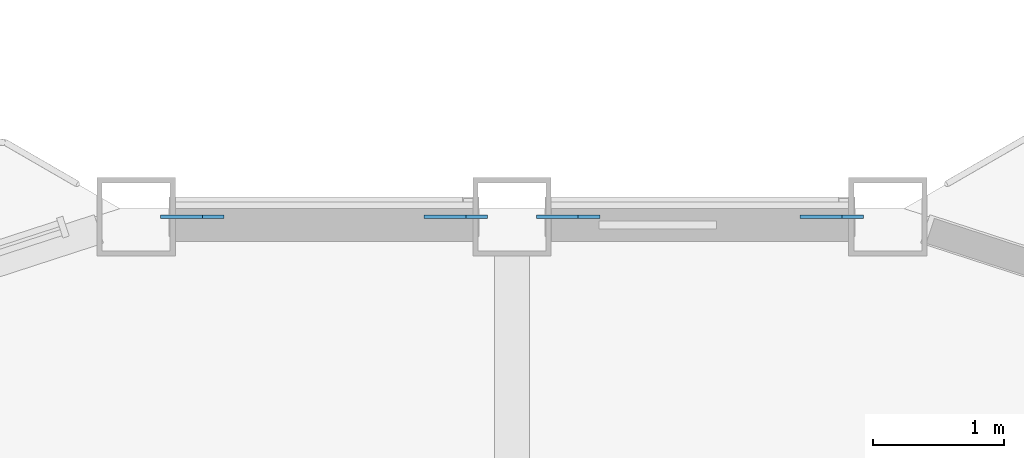
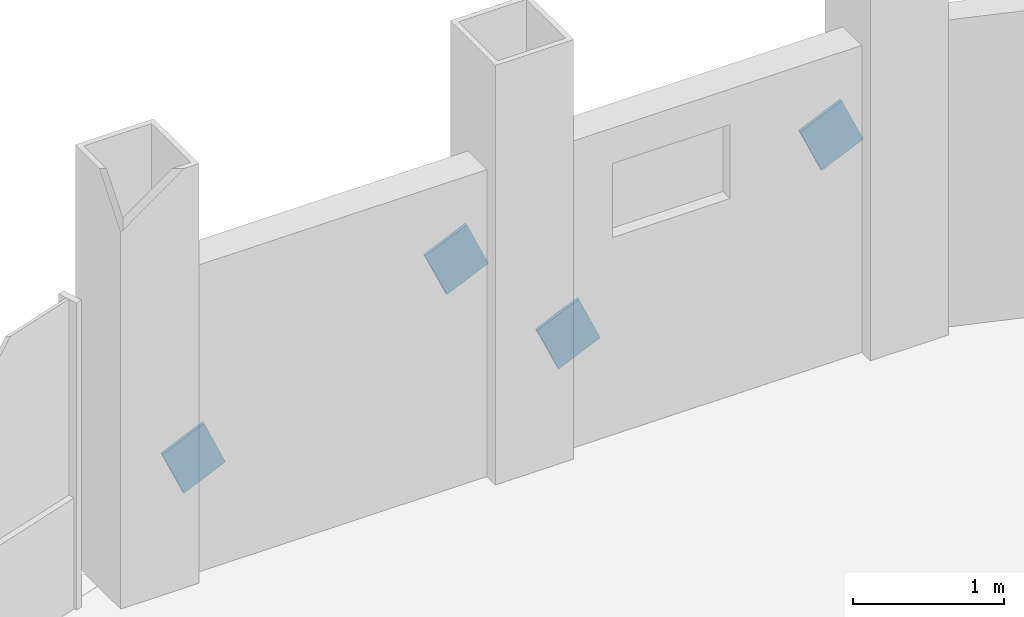
# One storey, part 21 of 26: 4 discrete accessories.
"""IFC4 building model written with IfcOpenShell, lengths in metres."""

from ifc_helpers import new_model, si_unit, direction, frame, origin, origin_2d, place, context, subcontext, project, spatial, rectangle, extrude, material, material_profile, profile_set, type_object, element, save


model = new_model("IFC4")

# Units and contexts
model_context = context("Model", 3, precision=1e-05, world=origin(), true_north=direction((0.0, 1.0)))
body_context = subcontext(model_context, "Body", "Model", "MODEL_VIEW")
ifc_project = project(units=[si_unit("LENGTHUNIT", "METRE"), si_unit("AREAUNIT", "SQUARE_METRE"), si_unit("VOLUMEUNIT", "CUBIC_METRE"), si_unit("PLANEANGLEUNIT", "RADIAN"), si_unit("MASSUNIT", "GRAM", prefix="KILO")], contexts=[model_context])

# Site, building, storey
site_placement = place(None, origin())
site = spatial("IfcSite", under=ifc_project, at=site_placement, CompositionType="ELEMENT")
building_placement = place(site_placement, origin())
building = spatial("IfcBuilding", under=site, at=building_placement, Name="Cormorant Prow Tower", CompositionType="ELEMENT")
storey_placement = place(building_placement, frame((0.0, 0.0, 339.199951171875)))
storey = spatial("IfcBuildingStorey", under=building, at=storey_placement, Name="L76", CompositionType="ELEMENT", Elevation=339.199951171875)

# Discrete accessories
ifc_material = material(Name="Structural steel ASTM A500 Gr C", Category="steel")
ifc_material_profile = material_profile(ifc_material, rectangle(XDim=0.02490234375, YDim=0.405029296875, at=origin_2d()), Name="Gusset plate 25x405")
ifc_profile_set = profile_set([ifc_material_profile], Name="Structural steel ASTM A500 Gr C")
discrete_accessory_type = type_object("IfcDiscreteAccessoryType", Name="Gusset plate 25x405", PredefinedType="BRACKET", material=ifc_profile_set)
for number, where, z_axis, x_axis, name in (
    (1, (0.588623046875, 31.676025390625, 0.86376953125), (-0.912599106234, 0.0, -0.408855562884), (0.0, -1.0, 0.0), "Gusset plate GP3 L76.N00.g0"),
    (2, (2.28515625, 31.676025390625, 1.624267578125), (0.912599106234, 0.0, 0.408855562884), (0.0, 1.0, 0.0), "Gusset plate GP3 L76.N00.g1"),
    (3, (-2.28515625, 31.676025390625, 0.86376953125), (-0.912599106234, 0.0, -0.408855562884), (0.0, -1.0, 0.0), "Gusset plate GP3 L76.N01.g0"),
    (4, (-0.588623046875, 31.676025390625, 1.624267578125), (0.912599106234, 0.0, 0.408855562884), (0.0, 1.0, 0.0), "Gusset plate GP3 L76.N01.g1"),
):
    element("IfcDiscreteAccessory", number, at=place(storey_placement, frame(where, z_axis=z_axis, x_axis=x_axis)), inside=storey, type_object=discrete_accessory_type, Name=name, PredefinedType="BRACKET", context=body_context, shape_type="SweptSolid", body=[
        extrude(rectangle(XDim=0.02490234375, YDim=0.405029296875, at=origin_2d()), origin(), (0.0, 0.0, 1.0), 0.349853515625),
    ])

save(model, "model.ifc")
